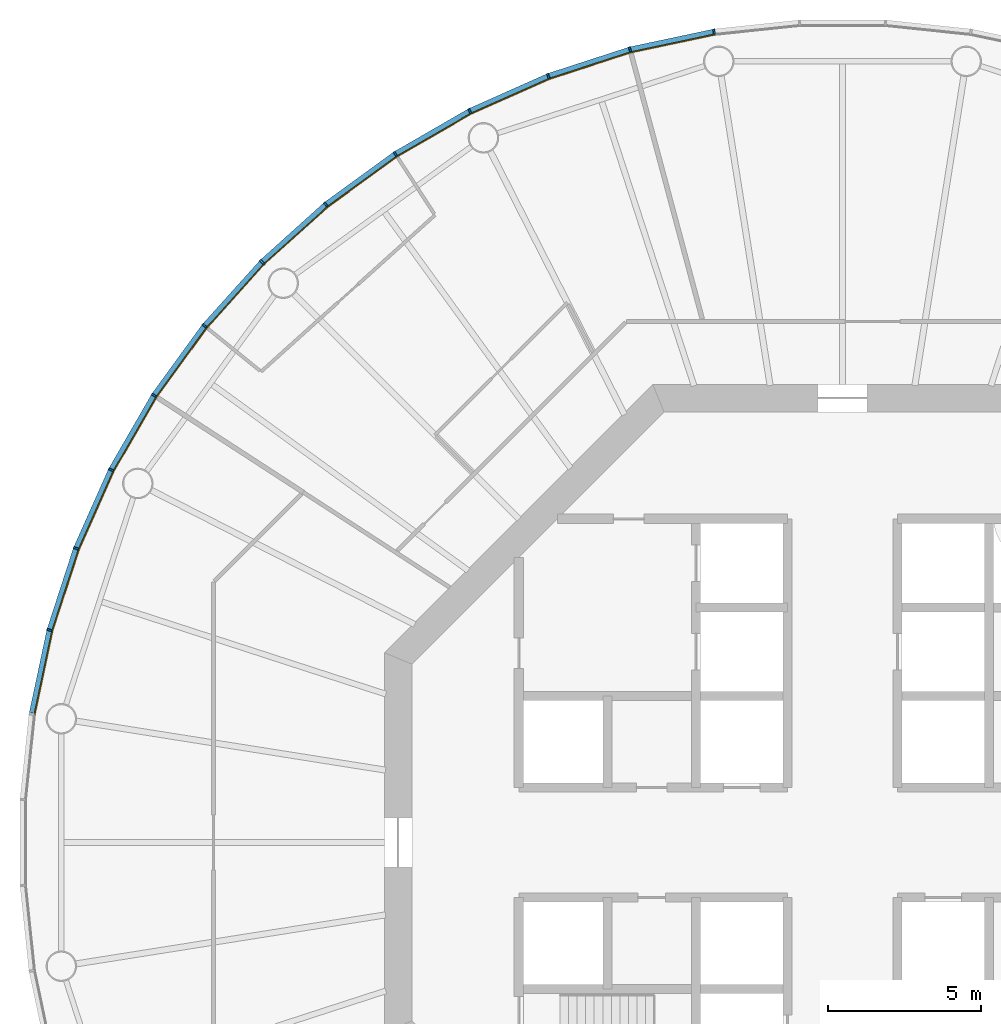
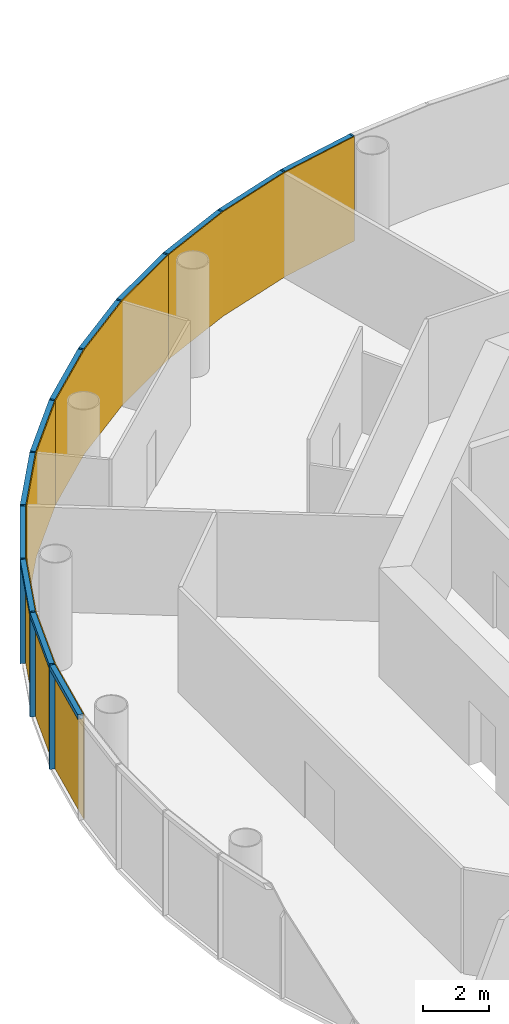
# One storey, part 9 of 12: 24 members, 4 curtain walls.
"""IFC4 building model written with IfcOpenShell, lengths in metres."""

from ifc_helpers import new_model, si_unit, direction, frame, origin, origin_2d, place, context, subcontext, project, spatial, polyline, rectangle, outline, extrude, material, layer, layer_set, material_profile, profile_set, type_object, element, aggregate, save


model = new_model("IFC4")

# Units and contexts
model_context = context("Model", 3, precision=1e-05, world=origin(), true_north=direction((0.0, 1.0)))
body_context = subcontext(model_context, "Body", "Model", "MODEL_VIEW")
ifc_project = project(units=[si_unit("LENGTHUNIT", "METRE"), si_unit("AREAUNIT", "SQUARE_METRE"), si_unit("VOLUMEUNIT", "CUBIC_METRE"), si_unit("PLANEANGLEUNIT", "RADIAN"), si_unit("MASSUNIT", "GRAM", prefix="KILO")], contexts=[model_context])

# Member
ifc_material_1 = material(Name="Anodised aluminium", Category="aluminium")
ifc_material_profile_1 = material_profile(ifc_material_1, rectangle(XDim=0.06005859375, YDim=0.169921875, at=origin_2d()), Name="Mullion 60 x 170 mm anodised aluminium")
ifc_profile_set_1 = profile_set([ifc_material_profile_1], Name="Anodised aluminium")
member_type_1 = type_object("IfcMemberType", Name="Mullion 60 x 170 mm anodised aluminium", PredefinedType="MULLION", material=ifc_profile_set_1)
site_placement = place(None, origin())
building_placement = place(site_placement, origin())
storey_placement = place(building_placement, frame((0.0, 0.0, 222.0)))
member_1_placement = place(storey_placement, frame((85.794189453125, 106.553955078125, 0.0), z_axis=(0.0, 0.0, 1.0), x_axis=(-0.987688340595, -0.15643446504, 0.0)))
member_1 = element("IfcMember", 1, at=member_1_placement, type_object=member_type_1, Name="MULLION L51-15", PredefinedType="MULLION", context=body_context, shape_type="SweptSolid", body=[
    extrude(rectangle(XDim=0.06005859375, YDim=0.169921875, at=origin_2d()), origin(), (0.0, 0.0, 1.0), 3.85009765625),
])

member_2_placement = place(storey_placement, frame((83.041748046875, 105.968994140625, 0.0), z_axis=(0.0, 0.0, 1.0), x_axis=(-0.965925826289, -0.258819045103, 0.0)))
member_2 = element("IfcMember", 2, at=member_2_placement, type_object=member_type_1, Name="MULLION L51-16", PredefinedType="MULLION", context=body_context, shape_type="SweptSolid", body=[
    extrude(rectangle(XDim=0.06005859375, YDim=0.169921875, at=origin_2d()), origin(), (0.0, 0.0, 1.0), 3.85009765625),
])

member_3_placement = place(storey_placement, frame((80.365234375, 105.099365234375, 0.0), z_axis=(0.0, 0.0, 1.0), x_axis=(-0.933580426497, -0.358367949545, 0.0)))
member_3 = element("IfcMember", 3, at=member_3_placement, type_object=member_type_1, Name="MULLION L51-17", PredefinedType="MULLION", context=body_context, shape_type="SweptSolid", body=[
    extrude(rectangle(XDim=0.06005859375, YDim=0.169921875, at=origin_2d()), origin(), (0.0, 0.0, 1.0), 3.85009765625),
])

member_4_placement = place(storey_placement, frame((77.79443359375, 103.95458984375, 0.0), z_axis=(0.0, 0.0, 1.0), x_axis=(-0.891006524188, -0.45399049974, 0.0)))
member_4 = element("IfcMember", 4, at=member_4_placement, type_object=member_type_1, Name="MULLION L51-18", PredefinedType="MULLION", context=body_context, shape_type="SweptSolid", body=[
    extrude(rectangle(XDim=0.06005859375, YDim=0.169921875, at=origin_2d()), origin(), (0.0, 0.0, 1.0), 3.85009765625),
])

member_5_placement = place(storey_placement, frame((75.357421875, 102.547607421875, 0.0), z_axis=(0.0, 0.0, 1.0), x_axis=(-0.838670567945, -0.544639035015, 0.0)))
member_5 = element("IfcMember", 5, at=member_5_placement, type_object=member_type_1, Name="MULLION L51-19", PredefinedType="MULLION", context=body_context, shape_type="SweptSolid", body=[
    extrude(rectangle(XDim=0.06005859375, YDim=0.169921875, at=origin_2d()), origin(), (0.0, 0.0, 1.0), 3.85009765625),
])

member_6_placement = place(storey_placement, frame((73.080810546875, 100.8935546875, 0.0), z_axis=(0.0, 0.0, 1.0), x_axis=(-0.777145961457, -0.62932039105, 0.0)))
member_6 = element("IfcMember", 6, at=member_6_placement, type_object=member_type_1, Name="MULLION L51-20", PredefinedType="MULLION", context=body_context, shape_type="SweptSolid", body=[
    extrude(rectangle(XDim=0.06005859375, YDim=0.169921875, at=origin_2d()), origin(), (0.0, 0.0, 1.0), 3.85009765625),
])

member_7_placement = place(storey_placement, frame((70.989501953125, 99.010498046875, 0.0), z_axis=(0.0, 0.0, 1.0), x_axis=(-0.707106781187, -0.707106781187, 0.0)))
member_7 = element("IfcMember", 7, at=member_7_placement, type_object=member_type_1, Name="MULLION L51-21", PredefinedType="MULLION", context=body_context, shape_type="SweptSolid", body=[
    extrude(rectangle(XDim=0.06005859375, YDim=0.169921875, at=origin_2d()), origin(), (0.0, 0.0, 1.0), 3.85009765625),
])

member_8_placement = place(storey_placement, frame((69.1064453125, 96.919189453125, 0.0), z_axis=(0.0, 0.0, 1.0), x_axis=(-0.62932039105, -0.777145961457, 0.0)))
member_8 = element("IfcMember", 8, at=member_8_placement, type_object=member_type_1, Name="MULLION L51-22", PredefinedType="MULLION", context=body_context, shape_type="SweptSolid", body=[
    extrude(rectangle(XDim=0.06005859375, YDim=0.169921875, at=origin_2d()), origin(), (0.0, 0.0, 1.0), 3.85009765625),
])

member_9_placement = place(storey_placement, frame((67.452392578125, 94.642578125, 0.0), z_axis=(0.0, 0.0, 1.0), x_axis=(-0.544639035015, -0.838670567945, 0.0)))
member_9 = element("IfcMember", 9, at=member_9_placement, type_object=member_type_1, Name="MULLION L51-23", PredefinedType="MULLION", context=body_context, shape_type="SweptSolid", body=[
    extrude(rectangle(XDim=0.06005859375, YDim=0.169921875, at=origin_2d()), origin(), (0.0, 0.0, 1.0), 3.85009765625),
])

member_10_placement = place(storey_placement, frame((66.04541015625, 92.20556640625, 0.0), z_axis=(0.0, 0.0, 1.0), x_axis=(-0.45399049974, -0.891006524188, 0.0)))
member_10 = element("IfcMember", 10, at=member_10_placement, type_object=member_type_1, Name="MULLION L51-24", PredefinedType="MULLION", context=body_context, shape_type="SweptSolid", body=[
    extrude(rectangle(XDim=0.06005859375, YDim=0.169921875, at=origin_2d()), origin(), (0.0, 0.0, 1.0), 3.85009765625),
])

member_11_placement = place(storey_placement, frame((64.900634765625, 89.634765625, 0.0), z_axis=(0.0, 0.0, 1.0), x_axis=(-0.358367949545, -0.933580426497, 0.0)))
member_11 = element("IfcMember", 11, at=member_11_placement, type_object=member_type_1, Name="MULLION L51-25", PredefinedType="MULLION", context=body_context, shape_type="SweptSolid", body=[
    extrude(rectangle(XDim=0.06005859375, YDim=0.169921875, at=origin_2d()), origin(), (0.0, 0.0, 1.0), 3.85009765625),
])

member_12_placement = place(storey_placement, frame((64.031005859375, 86.958251953125, 0.0), z_axis=(0.0, 0.0, 1.0), x_axis=(-0.258819045103, -0.965925826289, 0.0)))
member_12 = element("IfcMember", 12, at=member_12_placement, type_object=member_type_1, Name="MULLION L51-26", PredefinedType="MULLION", context=body_context, shape_type="SweptSolid", body=[
    extrude(rectangle(XDim=0.06005859375, YDim=0.169921875, at=origin_2d()), origin(), (0.0, 0.0, 1.0), 3.85009765625),
])

ifc_material_2 = material(Name="Anodised aluminium", Category="aluminium")
ifc_material_profile_2 = material_profile(ifc_material_2, rectangle(XDim=0.169921875, YDim=0.1650390625, at=origin_2d()), Name="Transom 165 x 170 mm anodised aluminium")
ifc_profile_set_2 = profile_set([ifc_material_profile_2], Name="Anodised aluminium")
member_type_2 = type_object("IfcMemberType", Name="Transom 165 x 170 mm anodised aluminium", PredefinedType="USERDEFINED", material=ifc_profile_set_2)
member_13_placement = place(storey_placement, frame((85.760498046875, 106.546875, 3.767578125), z_axis=(-0.97814212115, -0.207937468562, 0.0), x_axis=(0.207937468562, -0.97814212115, 0.0)))
member_13 = element("IfcMember", 13, at=member_13_placement, type_object=member_type_2, Name="TRANSOM L51-15", ObjectType="TRANSOM", PredefinedType="USERDEFINED", context=body_context, shape_type="SweptSolid", body=[
    extrude(rectangle(XDim=0.169921875, YDim=0.1650390625, at=origin_2d()), origin(), (0.0, 0.0, 1.0), 2.7451171875),
])

member_14_placement = place(storey_placement, frame((83.0087890625, 105.95849609375, 3.767578125), z_axis=(-0.951048445774, -0.309041831781, 0.0), x_axis=(0.309041831781, -0.951048445774, 0.0)))
member_14 = element("IfcMember", 14, at=member_14_placement, type_object=member_type_2, Name="TRANSOM L51-16", ObjectType="TRANSOM", PredefinedType="USERDEFINED", context=body_context, shape_type="SweptSolid", body=[
    extrude(rectangle(XDim=0.169921875, YDim=0.1650390625, at=origin_2d()), origin(), (0.0, 0.0, 1.0), 2.7451171875),
])

member_15_placement = place(storey_placement, frame((80.333740234375, 105.08544921875, 3.767578125), z_axis=(-0.913525267704, -0.406781987391, 0.0), x_axis=(0.406781987391, -0.913525267704, 0.0)))
member_15 = element("IfcMember", 15, at=member_15_placement, type_object=member_type_2, Name="TRANSOM L51-17", ObjectType="TRANSOM", PredefinedType="USERDEFINED", context=body_context, shape_type="SweptSolid", body=[
    extrude(rectangle(XDim=0.169921875, YDim=0.1650390625, at=origin_2d()), origin(), (0.0, 0.0, 1.0), 2.7451171875),
])

member_16_placement = place(storey_placement, frame((77.7646484375, 103.9375, 3.767578125), z_axis=(-0.866034527326, -0.49998419723, 0.0), x_axis=(0.49998419723, -0.866034527326, 0.0)))
member_16 = element("IfcMember", 16, at=member_16_placement, type_object=member_type_2, Name="TRANSOM L51-18", ObjectType="TRANSOM", PredefinedType="USERDEFINED", context=body_context, shape_type="SweptSolid", body=[
    extrude(rectangle(XDim=0.169921875, YDim=0.1650390625, at=origin_2d()), origin(), (0.0, 0.0, 1.0), 2.7451171875),
])

member_17_placement = place(storey_placement, frame((75.329345703125, 102.527587890625, 3.767578125), z_axis=(-0.808959086484, -0.587864947412, 0.0), x_axis=(0.587864947412, -0.808959086484, 0.0)))
member_17 = element("IfcMember", 17, at=member_17_placement, type_object=member_type_2, Name="TRANSOM L51-19", ObjectType="TRANSOM", PredefinedType="USERDEFINED", context=body_context, shape_type="SweptSolid", body=[
    extrude(rectangle(XDim=0.169921875, YDim=0.1650390625, at=origin_2d()), origin(), (0.0, 0.0, 1.0), 2.7451171875),
])

member_18_placement = place(storey_placement, frame((73.054931640625, 100.87060546875, 3.767578125), z_axis=(-0.743134927907, -0.669141598561, 0.0), x_axis=(0.669141598561, -0.743134927907, 0.0)))
member_18 = element("IfcMember", 18, at=member_18_placement, type_object=member_type_2, Name="TRANSOM L51-20", ObjectType="TRANSOM", PredefinedType="USERDEFINED", context=body_context, shape_type="SweptSolid", body=[
    extrude(rectangle(XDim=0.169921875, YDim=0.1650390625, at=origin_2d()), origin(), (0.0, 0.0, 1.0), 2.7451171875),
])

member_19_placement = place(storey_placement, frame((70.96630859375, 98.985107421875, 3.767578125), z_axis=(-0.669141598561, -0.743134927907, 0.0), x_axis=(0.743134927907, -0.669141598561, 0.0)))
member_19 = element("IfcMember", 19, at=member_19_placement, type_object=member_type_2, Name="TRANSOM L51-21", ObjectType="TRANSOM", PredefinedType="USERDEFINED", context=body_context, shape_type="SweptSolid", body=[
    extrude(rectangle(XDim=0.169921875, YDim=0.1650390625, at=origin_2d()), origin(), (0.0, 0.0, 1.0), 2.7451171875),
])

member_20_placement = place(storey_placement, frame((69.086181640625, 96.891357421875, 3.767578125), z_axis=(-0.587864947412, -0.808959086484, 0.0), x_axis=(0.808959086484, -0.587864947412, 0.0)))
member_20 = element("IfcMember", 20, at=member_20_placement, type_object=member_type_2, Name="TRANSOM L51-22", ObjectType="TRANSOM", PredefinedType="USERDEFINED", context=body_context, shape_type="SweptSolid", body=[
    extrude(rectangle(XDim=0.169921875, YDim=0.1650390625, at=origin_2d()), origin(), (0.0, 0.0, 1.0), 2.7451171875),
])

member_21_placement = place(storey_placement, frame((67.43505859375, 94.61279296875, 3.767578125), z_axis=(-0.49998419723, -0.866034527326, 0.0), x_axis=(0.866034527326, -0.49998419723, 0.0)))
member_21 = element("IfcMember", 21, at=member_21_placement, type_object=member_type_2, Name="TRANSOM L51-23", ObjectType="TRANSOM", PredefinedType="USERDEFINED", context=body_context, shape_type="SweptSolid", body=[
    extrude(rectangle(XDim=0.169921875, YDim=0.1650390625, at=origin_2d()), origin(), (0.0, 0.0, 1.0), 2.7451171875),
])

member_22_placement = place(storey_placement, frame((66.03125, 92.174072265625, 3.767578125), z_axis=(-0.406781987391, -0.913525267704, 0.0), x_axis=(0.913525267704, -0.406781987391, 0.0)))
member_22 = element("IfcMember", 22, at=member_22_placement, type_object=member_type_2, Name="TRANSOM L51-24", ObjectType="TRANSOM", PredefinedType="USERDEFINED", context=body_context, shape_type="SweptSolid", body=[
    extrude(rectangle(XDim=0.169921875, YDim=0.1650390625, at=origin_2d()), origin(), (0.0, 0.0, 1.0), 2.7451171875),
])

member_23_placement = place(storey_placement, frame((64.889892578125, 89.60205078125, 3.767578125), z_axis=(-0.309041831781, -0.951048445774, 0.0), x_axis=(0.951048445774, -0.309041831781, 0.0)))
member_23 = element("IfcMember", 23, at=member_23_placement, type_object=member_type_2, Name="TRANSOM L51-25", ObjectType="TRANSOM", PredefinedType="USERDEFINED", context=body_context, shape_type="SweptSolid", body=[
    extrude(rectangle(XDim=0.169921875, YDim=0.1650390625, at=origin_2d()), origin(), (0.0, 0.0, 1.0), 2.7451171875),
])

member_24_placement = place(storey_placement, frame((64.02392578125, 86.924560546875, 3.767578125), z_axis=(-0.207937468562, -0.97814212115, 0.0), x_axis=(0.97814212115, -0.207937468562, 0.0)))
member_24 = element("IfcMember", 24, at=member_24_placement, type_object=member_type_2, Name="TRANSOM L51-26", ObjectType="TRANSOM", PredefinedType="USERDEFINED", context=body_context, shape_type="SweptSolid", body=[
    extrude(rectangle(XDim=0.169921875, YDim=0.1650390625, at=origin_2d()), origin(), (0.0, 0.0, 1.0), 2.7451171875),
])

# Site, building, storey
site = spatial("IfcSite", under=ifc_project, at=site_placement, CompositionType="ELEMENT")
building = spatial("IfcBuilding", under=site, at=building_placement, Name="Entoto Ring Tower", CompositionType="ELEMENT")
storey = spatial("IfcBuildingStorey", under=building, at=storey_placement, Name="L51", CompositionType="ELEMENT", Elevation=222.0)

# Curtain wall
ifc_material_3 = material(Name="Clear low-iron glass", Category="glass")
ifc_layer = layer(ifc_material_3, 0.031982421875)
ifc_layer_set = layer_set([ifc_layer], Name="Clear low-iron glass")
curtain_wall_type = type_object("IfcCurtainWallType", Name="Curtain wall system CW4 glazing 32 mm", PredefinedType="NOTDEFINED", material=ifc_layer_set)
curtain_wall_1_placement = place(storey_placement, origin())
curtain_wall_1 = element("IfcCurtainWall", 25, at=curtain_wall_1_placement, inside=storey, type_object=curtain_wall_type, Name="CW4 L51-06", PredefinedType="NOTDEFINED", context=body_context, shape_type="SweptSolid", body=[
    extrude(outline(polyline([(85.8076171875, 106.469970703125), (83.063720703125, 105.88671875), (80.395751953125, 105.02001953125), (77.8330078125, 103.87890625), (77.84765625, 103.850341796875), (80.4072265625, 104.989990234375), (83.072021484375, 105.85595703125), (85.8125, 106.4384765625), (85.8076171875, 106.469970703125)])), origin(), (0.0, 0.0, 1.0), 3.85009765625),
])

aggregate(curtain_wall_1, [member_1, member_2, member_3, member_13, member_14, member_15])

curtain_wall_2_placement = place(storey_placement, origin())
curtain_wall_2 = element("IfcCurtainWall", 26, at=curtain_wall_2_placement, inside=storey, type_object=curtain_wall_type, Name="CW4 L51-07", PredefinedType="NOTDEFINED", context=body_context, shape_type="SweptSolid", body=[
    extrude(outline(polyline([(77.8330078125, 103.87890625), (75.403564453125, 102.476318359375), (73.13427734375, 100.827392578125), (71.049560546875, 98.950439453125), (71.072265625, 98.927734375), (73.154296875, 100.802490234375), (75.421142578125, 102.449462890625), (77.84765625, 103.850341796875), (77.8330078125, 103.87890625)])), origin(), (0.0, 0.0, 1.0), 3.85009765625),
])

aggregate(curtain_wall_2, [member_4, member_5, member_6, member_16, member_17, member_18])

curtain_wall_3_placement = place(storey_placement, origin())
curtain_wall_3 = element("IfcCurtainWall", 27, at=curtain_wall_3_placement, inside=storey, type_object=curtain_wall_type, Name="CW4 L51-08", PredefinedType="NOTDEFINED", context=body_context, shape_type="SweptSolid", body=[
    extrude(outline(polyline([(71.049560546875, 98.950439453125), (69.172607421875, 96.86572265625), (67.523681640625, 94.596435546875), (66.12109375, 92.1669921875), (66.149658203125, 92.15234375), (67.550537109375, 94.578857421875), (69.197509765625, 96.845703125), (71.072265625, 98.927734375), (71.049560546875, 98.950439453125)])), origin(), (0.0, 0.0, 1.0), 3.85009765625),
])

aggregate(curtain_wall_3, [member_7, member_8, member_9, member_19, member_20, member_21])

curtain_wall_4_placement = place(storey_placement, origin())
curtain_wall_4 = element("IfcCurtainWall", 28, at=curtain_wall_4_placement, inside=storey, type_object=curtain_wall_type, Name="CW4 L51-09", PredefinedType="NOTDEFINED", context=body_context, shape_type="SweptSolid", body=[
    extrude(outline(polyline([(66.12109375, 92.1669921875), (64.97998046875, 89.604248046875), (64.11328125, 86.936279296875), (63.530029296875, 84.1923828125), (63.5615234375, 84.1875), (64.14404296875, 86.927978515625), (65.010009765625, 89.5927734375), (66.149658203125, 92.15234375), (66.12109375, 92.1669921875)])), origin(), (0.0, 0.0, 1.0), 3.85009765625),
])

aggregate(curtain_wall_4, [member_10, member_11, member_12, member_22, member_23, member_24])

save(model, "model.ifc")
